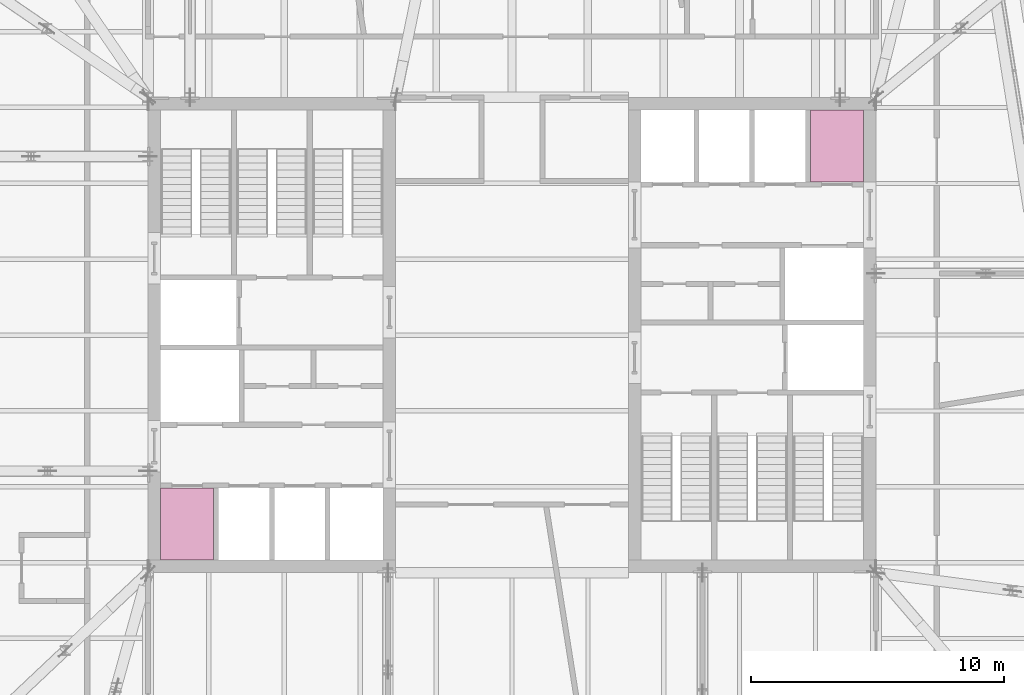
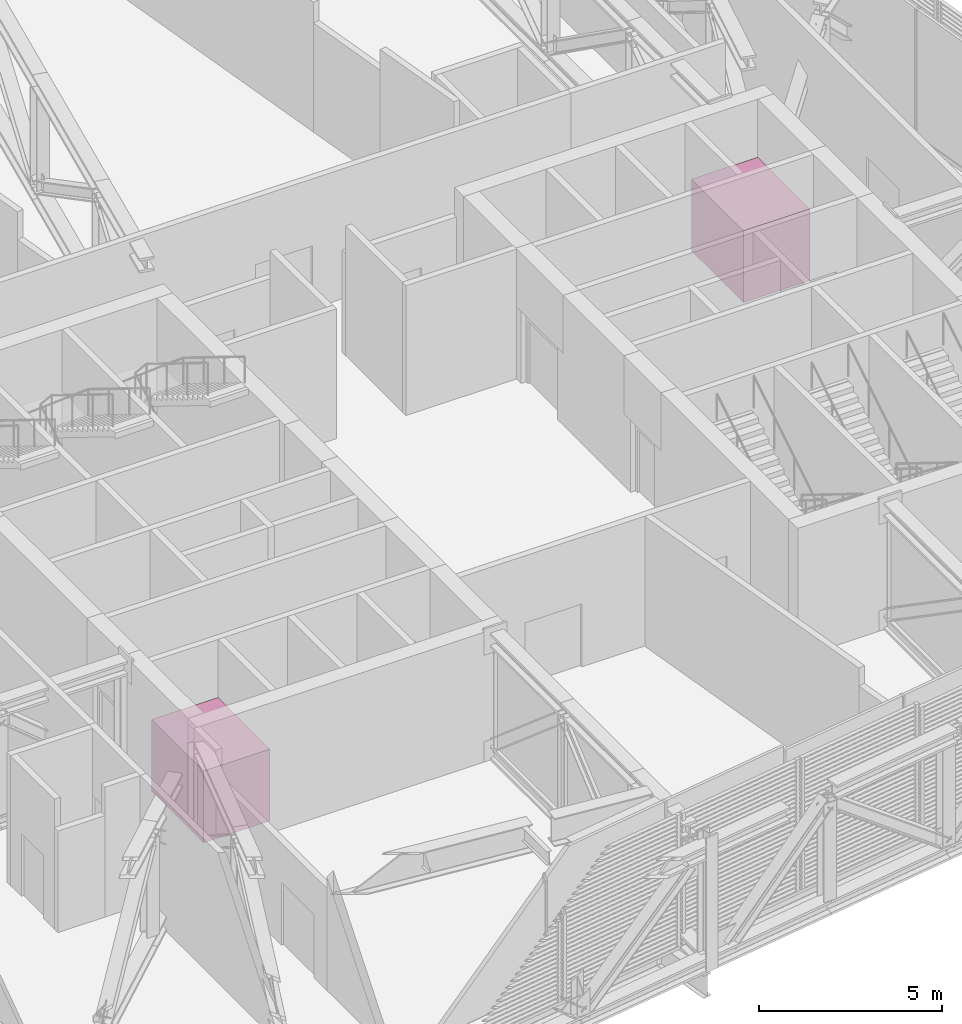
# One storey, part 32 of 32: 2 transport elements.
"""IFC4 building model written with IfcOpenShell, lengths in metres."""

from ifc_helpers import new_model, si_unit, direction, frame, origin, origin_2d, place, context, subcontext, project, spatial, rectangle, extrude, material, type_object, element, save


model = new_model("IFC4")

# Units and contexts
model_context = context("Model", 3, precision=1e-05, world=origin(), true_north=direction((0.0, 1.0)))
body_context = subcontext(model_context, "Body", "Model", "MODEL_VIEW")
ifc_project = project(units=[si_unit("LENGTHUNIT", "METRE"), si_unit("AREAUNIT", "SQUARE_METRE"), si_unit("VOLUMEUNIT", "CUBIC_METRE"), si_unit("PLANEANGLEUNIT", "RADIAN"), si_unit("MASSUNIT", "GRAM", prefix="KILO")], contexts=[model_context])

# Site, building, storey
site_placement = place(None, origin())
site = spatial("IfcSite", under=ifc_project, at=site_placement, CompositionType="ELEMENT")
building_placement = place(site_placement, origin())
building = spatial("IfcBuilding", under=site, at=building_placement, Name="Millrace Tower", CompositionType="ELEMENT")
storey_placement = place(building_placement, frame((0.0, 0.0, 266.89990234375)))
storey = spatial("IfcBuildingStorey", under=building, at=storey_placement, Name="L61", CompositionType="ELEMENT", Elevation=266.89990234375)

# Transport elements
ifc_material = material(Name="Stainless steel ASTM A240 type 316", Category="steel")
transport_element_type = type_object("IfcTransportElementType", Name="Passenger lift car 1600 x 2400", PredefinedType="ELEVATOR", material=ifc_material)
for number, where, z_axis, x_axis, name in (
    (1, (-12.85009765625, -7.47509765625, 0.000244140625), (0.0, 0.0, 1.0), (1.0, 0.0, 0.0), "Passenger lift LF1"),
    (2, (12.85009765625, 7.47509765625, 0.000244140625), (0.0, 0.0, 1.0), (1.0, 0.0, 0.0), "Passenger lift LF9"),
):
    element("IfcTransportElement", number, at=place(storey_placement, frame(where, z_axis=z_axis, x_axis=x_axis)), inside=storey, type_object=transport_element_type, Name=name, PredefinedType="ELEVATOR", context=body_context, shape_type="SweptSolid", body=[
        extrude(rectangle(XDim=2.10009765625, YDim=2.85009765625, at=origin_2d()), origin(), (0.0, 0.0, 1.0), 2.39990234375),
    ])

save(model, "model.ifc")
